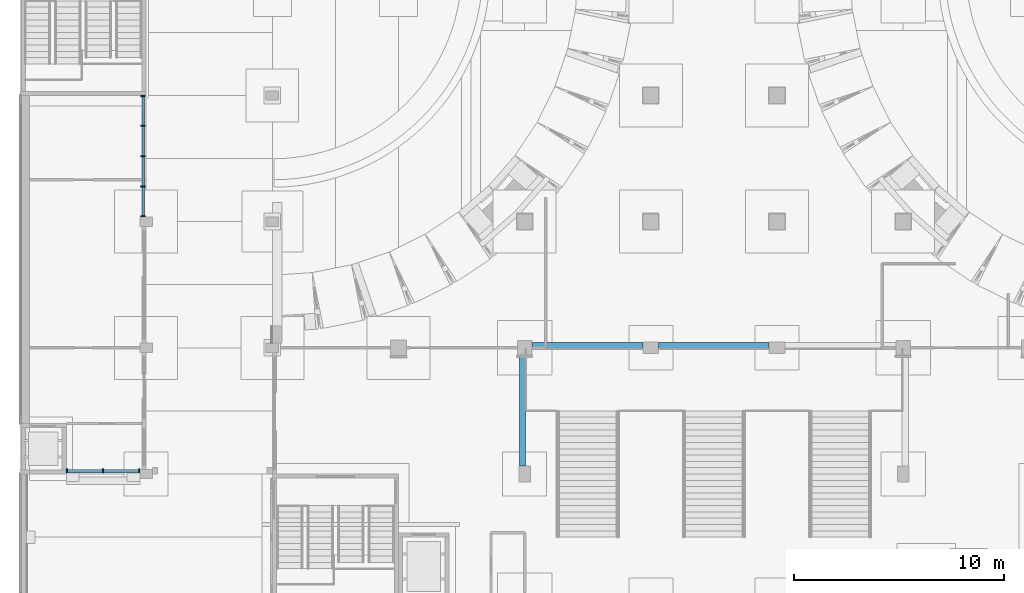
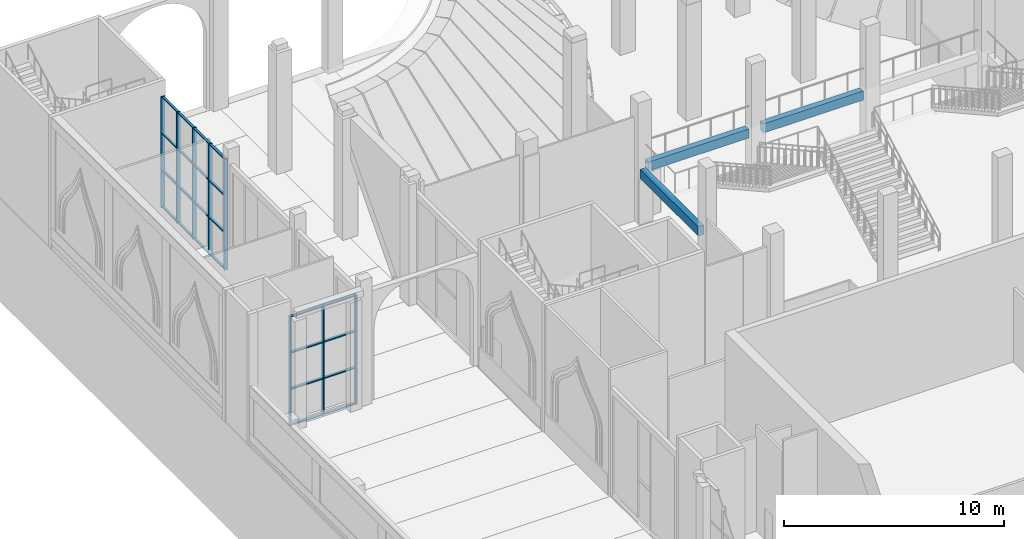
# One storey, part 26 of 95: 32 members, 3 beams, 2 elements without a shape of their own.
"""IFC4 building model written with IfcOpenShell, lengths in metres."""

from ifc_helpers import new_model, si_unit, direction, frame, origin, origin_2d, place, context, subcontext, project, spatial, rectangle, extrude, material, material_profile, profile_set, type_object, element, aggregate, save


model = new_model("IFC4")

# Units and contexts
model_context = context("Model", 3, precision=1e-05, world=origin(), true_north=direction((0.0, 1.0)))
body_context = subcontext(model_context, "Body", "Model", "MODEL_VIEW")
ifc_project = project(units=[si_unit("LENGTHUNIT", "METRE"), si_unit("AREAUNIT", "SQUARE_METRE"), si_unit("VOLUMEUNIT", "CUBIC_METRE"), si_unit("PLANEANGLEUNIT", "RADIAN"), si_unit("MASSUNIT", "GRAM", prefix="KILO")], contexts=[model_context])

# Site, building, storey
site_placement = place(None, origin())
site = spatial("IfcSite", under=ifc_project, at=site_placement, CompositionType="ELEMENT")
building_placement = place(site_placement, origin())
building = spatial("IfcBuilding", under=site, at=building_placement, Name="Saffron Lane Theatres", CompositionType="ELEMENT")
storey_placement = place(building_placement, origin())
storey = spatial("IfcBuildingStorey", under=building, at=storey_placement, Name="L00", CompositionType="ELEMENT", Elevation=0.0)

# Curtain wall, members
ifc_material_1 = material(Name="Aluminium", Category="aluminium")
curtain_wall_type_1 = type_object("IfcCurtainWallType", Name="EX-CURTAIN WALL 5780x6150x200", PredefinedType="NOTDEFINED", material=ifc_material_1)
curtain_wall_1_placement = place(storey_placement, origin())
curtain_wall_1 = element("IfcCurtainWall", 1, at=curtain_wall_1_placement, inside=storey, type_object=curtain_wall_type_1, Name="Curtain wall L00 18", PredefinedType="NOTDEFINED")
ifc_material_2 = material(Name="Aluminium", Category="aluminium")
ifc_material_profile_1 = material_profile(ifc_material_2, rectangle(XDim=0.06005859375, YDim=0.199951171875, at=origin_2d()))
ifc_profile_set_1 = profile_set([ifc_material_profile_1], Name="Aluminium")
member_type_1 = type_object("IfcMemberType", Name="EX-CW MULLION 60x200", PredefinedType="MULLION", material=ifc_profile_set_1)
member_1_placement = place(storey_placement, frame((5.85009765625, 119.969970703125, 0.0), z_axis=(0.0, 0.0, 1.0), x_axis=(0.0, -1.0, 0.0)))
member_1 = element("IfcMember", 2, at=member_1_placement, type_object=member_type_1, Name="CW-00-18 mullion 1", PredefinedType="MULLION", context=body_context, shape_type="SweptSolid", body=[
    extrude(rectangle(XDim=0.06005859375, YDim=0.199951171875, at=origin_2d()), origin(), (0.0, 0.0, 1.0), 6.14990234375),
])
member_2_placement = place(storey_placement, frame((5.85009765625, 118.55615234375, 0.0), z_axis=(0.0, 0.0, 1.0), x_axis=(0.0, -1.0, 0.0)))
member_2 = element("IfcMember", 3, at=member_2_placement, type_object=member_type_1, Name="CW-00-18 mullion 2", PredefinedType="MULLION", context=body_context, shape_type="SweptSolid", body=[
    extrude(rectangle(XDim=0.06005859375, YDim=0.199951171875, at=origin_2d()), origin(), (0.0, 0.0, 1.0), 6.14990234375),
])
member_3_placement = place(storey_placement, frame((5.85009765625, 117.112548828125, 0.0), z_axis=(0.0, 0.0, 1.0), x_axis=(0.0, -1.0, 0.0)))
member_3 = element("IfcMember", 4, at=member_3_placement, type_object=member_type_1, Name="CW-00-18 mullion 3", PredefinedType="MULLION", context=body_context, shape_type="SweptSolid", body=[
    extrude(rectangle(XDim=0.06005859375, YDim=0.199951171875, at=origin_2d()), origin(), (0.0, 0.0, 1.0), 6.14990234375),
])
member_4_placement = place(storey_placement, frame((5.85009765625, 115.668701171875, 0.0), z_axis=(0.0, 0.0, 1.0), x_axis=(0.0, -1.0, 0.0)))
member_4 = element("IfcMember", 5, at=member_4_placement, type_object=member_type_1, Name="CW-00-18 mullion 4", PredefinedType="MULLION", context=body_context, shape_type="SweptSolid", body=[
    extrude(rectangle(XDim=0.06005859375, YDim=0.199951171875, at=origin_2d()), origin(), (0.0, 0.0, 1.0), 6.14990234375),
])
member_5_placement = place(storey_placement, frame((5.85009765625, 114.255126953125, 0.0), z_axis=(0.0, 0.0, 1.0), x_axis=(0.0, -1.0, 0.0)))
member_5 = element("IfcMember", 6, at=member_5_placement, type_object=member_type_1, Name="CW-00-18 mullion 5", PredefinedType="MULLION", context=body_context, shape_type="SweptSolid", body=[
    extrude(rectangle(XDim=0.06005859375, YDim=0.199951171875, at=origin_2d()), origin(), (0.0, 0.0, 1.0), 6.14990234375),
])

ifc_material_3 = material(Name="Aluminium", Category="aluminium")
curtain_wall_type_2 = type_object("IfcCurtainWallType", Name="EX-CURTAIN WALL 3500x6050x200", PredefinedType="NOTDEFINED", material=ifc_material_3)
curtain_wall_2_placement = place(storey_placement, origin())
curtain_wall_2 = element("IfcCurtainWall", 7, at=curtain_wall_2_placement, inside=storey, type_object=curtain_wall_type_2, Name="Curtain wall L00 19", PredefinedType="NOTDEFINED")
member_6_placement = place(storey_placement, frame((5.669921875, 102.14990234375, 0.0), z_axis=(0.0, 0.0, 1.0), x_axis=(-1.0, 0.0, 0.0)))
member_6 = element("IfcMember", 8, at=member_6_placement, type_object=member_type_1, Name="CW-00-19 mullion 1", PredefinedType="MULLION", context=body_context, shape_type="SweptSolid", body=[
    extrude(rectangle(XDim=0.06005859375, YDim=0.199951171875, at=origin_2d()), origin(), (0.0, 0.0, 1.0), 6.050048828125),
])
member_7_placement = place(storey_placement, frame((3.949951171875, 102.14990234375, 0.0), z_axis=(0.0, 0.0, 1.0), x_axis=(-1.0, 0.0, 0.0)))
member_7 = element("IfcMember", 9, at=member_7_placement, type_object=member_type_1, Name="CW-00-19 mullion 2", PredefinedType="MULLION", context=body_context, shape_type="SweptSolid", body=[
    extrude(rectangle(XDim=0.06005859375, YDim=0.199951171875, at=origin_2d()), origin(), (0.0, 0.0, 1.0), 6.050048828125),
])
member_8_placement = place(storey_placement, frame((2.22998046875, 102.14990234375, 0.0), z_axis=(0.0, 0.0, 1.0), x_axis=(-1.0, 0.0, 0.0)))
member_8 = element("IfcMember", 10, at=member_8_placement, type_object=member_type_1, Name="CW-00-19 mullion 3", PredefinedType="MULLION", context=body_context, shape_type="SweptSolid", body=[
    extrude(rectangle(XDim=0.06005859375, YDim=0.199951171875, at=origin_2d()), origin(), (0.0, 0.0, 1.0), 6.050048828125),
])

# Member
ifc_material_4 = material(Name="Aluminium", Category="aluminium")
ifc_material_profile_2 = material_profile(ifc_material_4, rectangle(XDim=0.1201171875, YDim=0.06005859375, at=origin_2d()))
ifc_profile_set_2 = profile_set([ifc_material_profile_2], Name="Aluminium")
member_type_2 = type_object("IfcMemberType", Name="EX-CW TRANSOM 120x60", PredefinedType="USERDEFINED", material=ifc_profile_set_2)
member_9_placement = place(storey_placement, frame((5.85009765625, 119.93994140625, 0.030029296875), z_axis=(0.0, -1.0, 0.0), x_axis=(1.0, 0.0, 0.0)))
member_9 = element("IfcMember", 11, at=member_9_placement, type_object=member_type_2, Name="CW-00-18 transom 1.1", ObjectType="TRANSOM", PredefinedType="USERDEFINED", context=body_context, shape_type="SweptSolid", body=[
    extrude(rectangle(XDim=0.1201171875, YDim=0.06005859375, at=origin_2d()), origin(), (0.0, 0.0, 1.0), 1.353759765625),
])

member_10_placement = place(storey_placement, frame((5.85009765625, 119.93994140625, 2.050048828125), z_axis=(0.0, -1.0, 0.0), x_axis=(1.0, 0.0, 0.0)))
member_10 = element("IfcMember", 12, at=member_10_placement, type_object=member_type_2, Name="CW-00-18 transom 1.2", ObjectType="TRANSOM", PredefinedType="USERDEFINED", context=body_context, shape_type="SweptSolid", body=[
    extrude(rectangle(XDim=0.1201171875, YDim=0.06005859375, at=origin_2d()), origin(), (0.0, 0.0, 1.0), 1.353759765625),
])

member_11_placement = place(storey_placement, frame((5.85009765625, 119.93994140625, 4.10009765625), z_axis=(0.0, -1.0, 0.0), x_axis=(1.0, 0.0, 0.0)))
member_11 = element("IfcMember", 13, at=member_11_placement, type_object=member_type_2, Name="CW-00-18 transom 1.3", ObjectType="TRANSOM", PredefinedType="USERDEFINED", context=body_context, shape_type="SweptSolid", body=[
    extrude(rectangle(XDim=0.1201171875, YDim=0.06005859375, at=origin_2d()), origin(), (0.0, 0.0, 1.0), 1.353759765625),
])

member_12_placement = place(storey_placement, frame((5.85009765625, 119.93994140625, 6.119873046875), z_axis=(0.0, -1.0, 0.0), x_axis=(1.0, 0.0, 0.0)))
member_12 = element("IfcMember", 14, at=member_12_placement, type_object=member_type_2, Name="CW-00-18 transom 1.4", ObjectType="TRANSOM", PredefinedType="USERDEFINED", context=body_context, shape_type="SweptSolid", body=[
    extrude(rectangle(XDim=0.1201171875, YDim=0.06005859375, at=origin_2d()), origin(), (0.0, 0.0, 1.0), 1.353759765625),
])

member_13_placement = place(storey_placement, frame((5.85009765625, 118.5263671875, 0.030029296875), z_axis=(0.0, -1.0, 0.0), x_axis=(1.0, 0.0, 0.0)))
member_13 = element("IfcMember", 15, at=member_13_placement, type_object=member_type_2, Name="CW-00-18 transom 2.1", ObjectType="TRANSOM", PredefinedType="USERDEFINED", context=body_context, shape_type="SweptSolid", body=[
    extrude(rectangle(XDim=0.1201171875, YDim=0.06005859375, at=origin_2d()), origin(), (0.0, 0.0, 1.0), 1.3837890625),
])

member_14_placement = place(storey_placement, frame((5.85009765625, 118.5263671875, 2.050048828125), z_axis=(0.0, -1.0, 0.0), x_axis=(1.0, 0.0, 0.0)))
member_14 = element("IfcMember", 16, at=member_14_placement, type_object=member_type_2, Name="CW-00-18 transom 2.2", ObjectType="TRANSOM", PredefinedType="USERDEFINED", context=body_context, shape_type="SweptSolid", body=[
    extrude(rectangle(XDim=0.1201171875, YDim=0.06005859375, at=origin_2d()), origin(), (0.0, 0.0, 1.0), 1.3837890625),
])

member_15_placement = place(storey_placement, frame((5.85009765625, 118.5263671875, 4.10009765625), z_axis=(0.0, -1.0, 0.0), x_axis=(1.0, 0.0, 0.0)))
member_15 = element("IfcMember", 17, at=member_15_placement, type_object=member_type_2, Name="CW-00-18 transom 2.3", ObjectType="TRANSOM", PredefinedType="USERDEFINED", context=body_context, shape_type="SweptSolid", body=[
    extrude(rectangle(XDim=0.1201171875, YDim=0.06005859375, at=origin_2d()), origin(), (0.0, 0.0, 1.0), 1.3837890625),
])

member_16_placement = place(storey_placement, frame((5.85009765625, 118.5263671875, 6.119873046875), z_axis=(0.0, -1.0, 0.0), x_axis=(1.0, 0.0, 0.0)))
member_16 = element("IfcMember", 18, at=member_16_placement, type_object=member_type_2, Name="CW-00-18 transom 2.4", ObjectType="TRANSOM", PredefinedType="USERDEFINED", context=body_context, shape_type="SweptSolid", body=[
    extrude(rectangle(XDim=0.1201171875, YDim=0.06005859375, at=origin_2d()), origin(), (0.0, 0.0, 1.0), 1.3837890625),
])

member_17_placement = place(storey_placement, frame((5.85009765625, 117.08251953125, 0.030029296875), z_axis=(0.0, -1.0, 0.0), x_axis=(1.0, 0.0, 0.0)))
member_17 = element("IfcMember", 19, at=member_17_placement, type_object=member_type_2, Name="CW-00-18 transom 3.1", ObjectType="TRANSOM", PredefinedType="USERDEFINED", context=body_context, shape_type="SweptSolid", body=[
    extrude(rectangle(XDim=0.1201171875, YDim=0.06005859375, at=origin_2d()), origin(), (0.0, 0.0, 1.0), 1.3837890625),
])

member_18_placement = place(storey_placement, frame((5.85009765625, 117.08251953125, 2.050048828125), z_axis=(0.0, -1.0, 0.0), x_axis=(1.0, 0.0, 0.0)))
member_18 = element("IfcMember", 20, at=member_18_placement, type_object=member_type_2, Name="CW-00-18 transom 3.2", ObjectType="TRANSOM", PredefinedType="USERDEFINED", context=body_context, shape_type="SweptSolid", body=[
    extrude(rectangle(XDim=0.1201171875, YDim=0.06005859375, at=origin_2d()), origin(), (0.0, 0.0, 1.0), 1.3837890625),
])

member_19_placement = place(storey_placement, frame((5.85009765625, 117.08251953125, 4.10009765625), z_axis=(0.0, -1.0, 0.0), x_axis=(1.0, 0.0, 0.0)))
member_19 = element("IfcMember", 21, at=member_19_placement, type_object=member_type_2, Name="CW-00-18 transom 3.3", ObjectType="TRANSOM", PredefinedType="USERDEFINED", context=body_context, shape_type="SweptSolid", body=[
    extrude(rectangle(XDim=0.1201171875, YDim=0.06005859375, at=origin_2d()), origin(), (0.0, 0.0, 1.0), 1.3837890625),
])

member_20_placement = place(storey_placement, frame((5.85009765625, 117.08251953125, 6.119873046875), z_axis=(0.0, -1.0, 0.0), x_axis=(1.0, 0.0, 0.0)))
member_20 = element("IfcMember", 22, at=member_20_placement, type_object=member_type_2, Name="CW-00-18 transom 3.4", ObjectType="TRANSOM", PredefinedType="USERDEFINED", context=body_context, shape_type="SweptSolid", body=[
    extrude(rectangle(XDim=0.1201171875, YDim=0.06005859375, at=origin_2d()), origin(), (0.0, 0.0, 1.0), 1.3837890625),
])

member_21_placement = place(storey_placement, frame((5.85009765625, 115.638916015625, 0.030029296875), z_axis=(0.0, -1.0, 0.0), x_axis=(1.0, 0.0, 0.0)))
member_21 = element("IfcMember", 23, at=member_21_placement, type_object=member_type_2, Name="CW-00-18 transom 4.1", ObjectType="TRANSOM", PredefinedType="USERDEFINED", context=body_context, shape_type="SweptSolid", body=[
    extrude(rectangle(XDim=0.1201171875, YDim=0.06005859375, at=origin_2d()), origin(), (0.0, 0.0, 1.0), 1.353759765625),
])

member_22_placement = place(storey_placement, frame((5.85009765625, 115.638916015625, 2.050048828125), z_axis=(0.0, -1.0, 0.0), x_axis=(1.0, 0.0, 0.0)))
member_22 = element("IfcMember", 24, at=member_22_placement, type_object=member_type_2, Name="CW-00-18 transom 4.2", ObjectType="TRANSOM", PredefinedType="USERDEFINED", context=body_context, shape_type="SweptSolid", body=[
    extrude(rectangle(XDim=0.1201171875, YDim=0.06005859375, at=origin_2d()), origin(), (0.0, 0.0, 1.0), 1.353759765625),
])

member_23_placement = place(storey_placement, frame((5.85009765625, 115.638916015625, 4.10009765625), z_axis=(0.0, -1.0, 0.0), x_axis=(1.0, 0.0, 0.0)))
member_23 = element("IfcMember", 25, at=member_23_placement, type_object=member_type_2, Name="CW-00-18 transom 4.3", ObjectType="TRANSOM", PredefinedType="USERDEFINED", context=body_context, shape_type="SweptSolid", body=[
    extrude(rectangle(XDim=0.1201171875, YDim=0.06005859375, at=origin_2d()), origin(), (0.0, 0.0, 1.0), 1.353759765625),
])

member_24_placement = place(storey_placement, frame((5.85009765625, 115.638916015625, 6.119873046875), z_axis=(0.0, -1.0, 0.0), x_axis=(1.0, 0.0, 0.0)))
member_24 = element("IfcMember", 26, at=member_24_placement, type_object=member_type_2, Name="CW-00-18 transom 4.4", ObjectType="TRANSOM", PredefinedType="USERDEFINED", context=body_context, shape_type="SweptSolid", body=[
    extrude(rectangle(XDim=0.1201171875, YDim=0.06005859375, at=origin_2d()), origin(), (0.0, 0.0, 1.0), 1.353759765625),
])

aggregate(curtain_wall_1, [member_1, member_2, member_3, member_4, member_5, member_9, member_10, member_11, member_12, member_13, member_14, member_15, member_16, member_17, member_18, member_19, member_20, member_21, member_22, member_23, member_24])

ifc_material_5 = material(Name="Aluminium", Category="aluminium")
ifc_material_profile_3 = material_profile(ifc_material_5, rectangle(XDim=0.14990234375, YDim=0.06005859375, at=origin_2d()))
ifc_profile_set_3 = profile_set([ifc_material_profile_3], Name="Aluminium")
member_type_3 = type_object("IfcMemberType", Name="EX-CW TRANSOM 150x60", PredefinedType="USERDEFINED", material=ifc_profile_set_3)
member_25_placement = place(storey_placement, frame((5.639892578125, 102.14990234375, 0.030029296875), z_axis=(-1.0, 0.0, 0.0), x_axis=(0.0, -1.0, 0.0)))
member_25 = element("IfcMember", 27, at=member_25_placement, type_object=member_type_3, Name="CW-00-19 transom 1.1", ObjectType="TRANSOM", PredefinedType="USERDEFINED", context=body_context, shape_type="SweptSolid", body=[
    extrude(rectangle(XDim=0.14990234375, YDim=0.06005859375, at=origin_2d()), origin(), (0.0, 0.0, 1.0), 1.659912109375),
])

member_26_placement = place(storey_placement, frame((5.639892578125, 102.14990234375, 2.0166015625), z_axis=(-1.0, 0.0, 0.0), x_axis=(0.0, -1.0, 0.0)))
member_26 = element("IfcMember", 28, at=member_26_placement, type_object=member_type_3, Name="CW-00-19 transom 1.2", ObjectType="TRANSOM", PredefinedType="USERDEFINED", context=body_context, shape_type="SweptSolid", body=[
    extrude(rectangle(XDim=0.14990234375, YDim=0.06005859375, at=origin_2d()), origin(), (0.0, 0.0, 1.0), 1.659912109375),
])

member_27_placement = place(storey_placement, frame((5.639892578125, 102.14990234375, 4.033447265625), z_axis=(-1.0, 0.0, 0.0), x_axis=(0.0, -1.0, 0.0)))
member_27 = element("IfcMember", 29, at=member_27_placement, type_object=member_type_3, Name="CW-00-19 transom 1.3", ObjectType="TRANSOM", PredefinedType="USERDEFINED", context=body_context, shape_type="SweptSolid", body=[
    extrude(rectangle(XDim=0.14990234375, YDim=0.06005859375, at=origin_2d()), origin(), (0.0, 0.0, 1.0), 1.659912109375),
])

member_28_placement = place(storey_placement, frame((5.639892578125, 102.14990234375, 6.02001953125), z_axis=(-1.0, 0.0, 0.0), x_axis=(0.0, -1.0, 0.0)))
member_28 = element("IfcMember", 30, at=member_28_placement, type_object=member_type_3, Name="CW-00-19 transom 1.4", ObjectType="TRANSOM", PredefinedType="USERDEFINED", context=body_context, shape_type="SweptSolid", body=[
    extrude(rectangle(XDim=0.14990234375, YDim=0.06005859375, at=origin_2d()), origin(), (0.0, 0.0, 1.0), 1.659912109375),
])

member_29_placement = place(storey_placement, frame((3.919921875, 102.14990234375, 0.030029296875), z_axis=(-1.0, 0.0, 0.0), x_axis=(0.0, -1.0, 0.0)))
member_29 = element("IfcMember", 31, at=member_29_placement, type_object=member_type_3, Name="CW-00-19 transom 2.1", ObjectType="TRANSOM", PredefinedType="USERDEFINED", context=body_context, shape_type="SweptSolid", body=[
    extrude(rectangle(XDim=0.14990234375, YDim=0.06005859375, at=origin_2d()), origin(), (0.0, 0.0, 1.0), 1.659912109375),
])

member_30_placement = place(storey_placement, frame((3.919921875, 102.14990234375, 2.0166015625), z_axis=(-1.0, 0.0, 0.0), x_axis=(0.0, -1.0, 0.0)))
member_30 = element("IfcMember", 32, at=member_30_placement, type_object=member_type_3, Name="CW-00-19 transom 2.2", ObjectType="TRANSOM", PredefinedType="USERDEFINED", context=body_context, shape_type="SweptSolid", body=[
    extrude(rectangle(XDim=0.14990234375, YDim=0.06005859375, at=origin_2d()), origin(), (0.0, 0.0, 1.0), 1.659912109375),
])

member_31_placement = place(storey_placement, frame((3.919921875, 102.14990234375, 4.033447265625), z_axis=(-1.0, 0.0, 0.0), x_axis=(0.0, -1.0, 0.0)))
member_31 = element("IfcMember", 33, at=member_31_placement, type_object=member_type_3, Name="CW-00-19 transom 2.3", ObjectType="TRANSOM", PredefinedType="USERDEFINED", context=body_context, shape_type="SweptSolid", body=[
    extrude(rectangle(XDim=0.14990234375, YDim=0.06005859375, at=origin_2d()), origin(), (0.0, 0.0, 1.0), 1.659912109375),
])

member_32_placement = place(storey_placement, frame((3.919921875, 102.14990234375, 6.02001953125), z_axis=(-1.0, 0.0, 0.0), x_axis=(0.0, -1.0, 0.0)))
member_32 = element("IfcMember", 34, at=member_32_placement, type_object=member_type_3, Name="CW-00-19 transom 2.4", ObjectType="TRANSOM", PredefinedType="USERDEFINED", context=body_context, shape_type="SweptSolid", body=[
    extrude(rectangle(XDim=0.14990234375, YDim=0.06005859375, at=origin_2d()), origin(), (0.0, 0.0, 1.0), 1.659912109375),
])

aggregate(curtain_wall_2, [member_6, member_7, member_8, member_25, member_26, member_27, member_28, member_29, member_30, member_31, member_32])

# Beams
ifc_material_6 = material(Name="Concrete N40 (40 MPa)", Category="concrete")
ifc_material_profile_4 = material_profile(ifc_material_6, rectangle(XDim=0.300048828125, YDim=0.5, at=origin_2d()))
ifc_profile_set_4 = profile_set([ifc_material_profile_4], Name="Concrete N40 (40 MPa)")
beam_type = type_object("IfcBeamType", Name="VC-LANDING BEAM 300x500", PredefinedType="BEAM", material=ifc_profile_set_4)
for number, where, z_axis, x_axis, name in (
    (35, (23.89990234375, 102.375, 3.050048828125), (0.0, 1.0, 0.0), (-1.0, 0.0, 0.0), "Landing beam 1"),
    (36, (24.35009765625, 108.10009765625, 3.050048828125), (1.0, 0.0, 0.0), (0.0, 1.0, 0.0), "Landing beam 3"),
):
    element("IfcBeam", number, at=place(storey_placement, frame(where, z_axis=z_axis, x_axis=x_axis)), inside=storey, type_object=beam_type, Name=name, PredefinedType="BEAM", context=body_context, shape_type="SweptSolid", body=[
        extrude(rectangle(XDim=0.300048828125, YDim=0.5, at=origin_2d()), origin(), (0.0, 0.0, 1.0), 5.27490234375),
    ])
beam_placement = place(storey_placement, frame((30.375, 108.10009765625, 3.050048828125), z_axis=(1.0, 0.0, 0.0), x_axis=(0.0, 1.0, 0.0)))
element("IfcBeam", 37, at=beam_placement, inside=storey, type_object=beam_type, Name="Landing beam 4", PredefinedType="BEAM", context=body_context, shape_type="SweptSolid", body=[
    extrude(rectangle(XDim=0.300048828125, YDim=0.5, at=origin_2d()), origin(), (0.0, 0.0, 1.0), 5.25),
])

save(model, "model.ifc")
